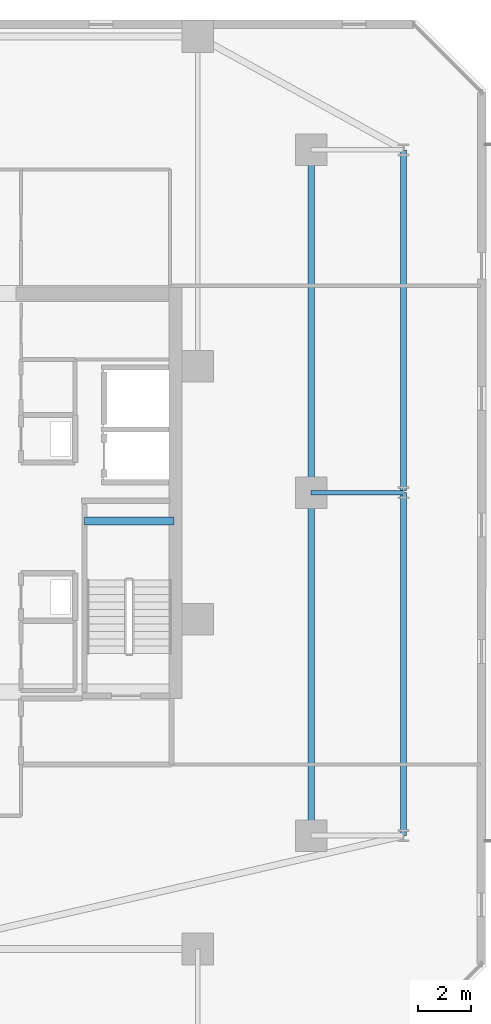
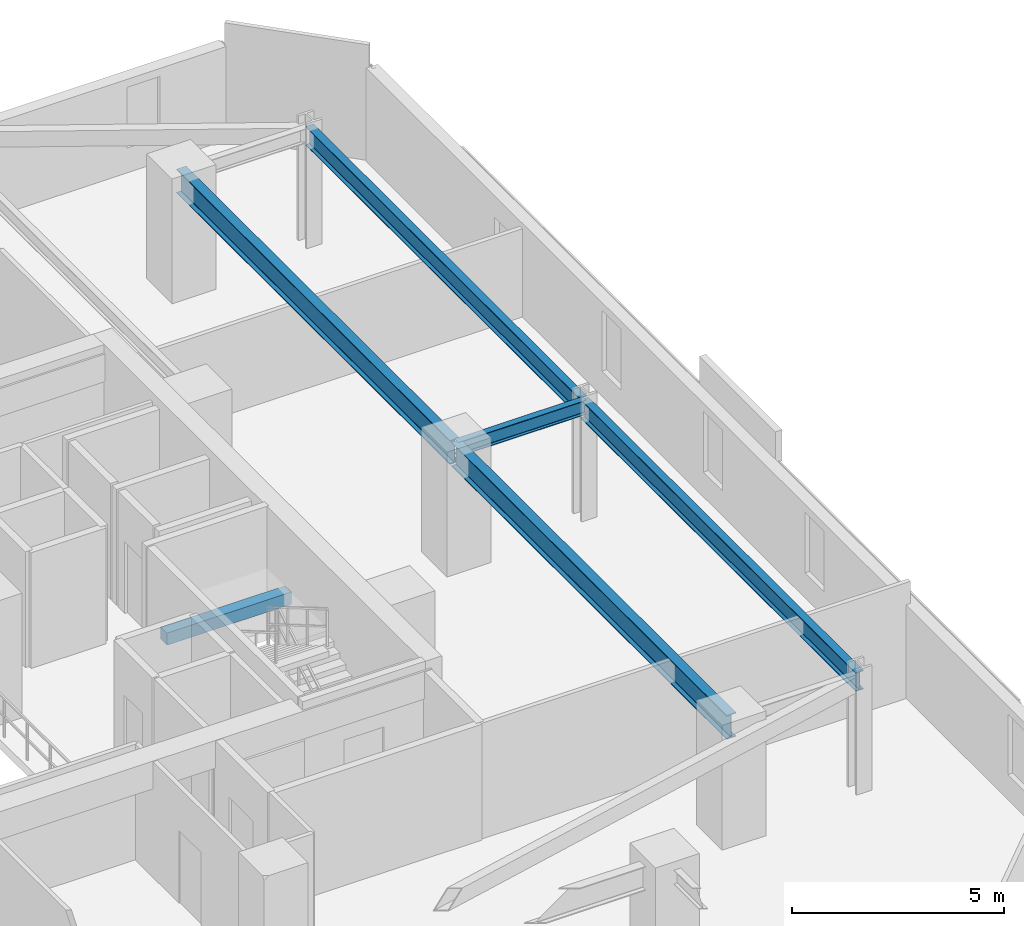
# One storey, part 13 of 32: 6 beams.
"""IFC4 building model written with IfcOpenShell, lengths in metres."""

import ifcopenshell
import ifcopenshell.guid

model = None  # the IFC model being written
_history = None  # IfcOwnerHistory: only IFC2X3 demands one
_inside = {}  # id of a spatial element -> (the spatial element, [elements in it])
_under = {}  # id of a project, library or spatial element -> (it, [spatial elements below it])
_declared = {}  # id of a project -> (the project, [libraries it declares])
_typed = {}  # id of a type object -> (the type object, [elements of that type])
_made_of = {}  # id of a material, layer set ... -> (it, [elements and type objects made of it])


def new_model(schema):
    """Start an empty IFC model of exactly this schema.

    Asked for "IFC4X3", IfcOpenShell would pick the latest addendum, in which some entities
    have other attributes; the version numbers below select the first issue.
    IFC2X3 requires an IfcOwnerHistory on every rooted entity: one is made here for all.
    """
    global model, _history
    if schema == "IFC4X3":
        model = ifcopenshell.file(schema_version=(4, 3, 0, 0))
    else:
        model = ifcopenshell.file(schema=schema)
    _inside.clear()
    _under.clear()
    _declared.clear()
    _typed.clear()
    _made_of.clear()
    _history = None
    if model.schema == "IFC2X3":
        org = make("IfcOrganization", Name="unknown")
        user = make(
            "IfcPersonAndOrganization",
            ThePerson=make("IfcPerson", FamilyName="unknown"),
            TheOrganization=org,
        )
        app = make(
            "IfcApplication",
            ApplicationDeveloper=org,
            Version="unknown",
            ApplicationFullName="unknown",
            ApplicationIdentifier="unknown",
        )
        _history = make(
            "IfcOwnerHistory",
            OwningUser=user,
            OwningApplication=app,
            ChangeAction="ADDED",
            CreationDate=0,
        )
    return model


def make(cls, **values):
    """One entity of the class cls with the attributes given. An attribute that is None is left unset."""
    return model.create_entity(
        cls, **{name: value for name, value in values.items() if value is not None}
    )


def rooted(cls, **values):
    """An entity with a GlobalId (a new one), such as an element, a storey or a relation."""
    return make(cls, GlobalId=ifcopenshell.guid.new(), OwnerHistory=_history, **values)


def si_unit(unit_type, name, prefix=None):
    """IfcSIUnit, for example si_unit("LENGTHUNIT", "METRE", prefix="MILLI")."""
    return make("IfcSIUnit", UnitType=unit_type, Prefix=prefix, Name=name)


def assignment(units):
    """IfcUnitAssignment: the units of a project."""
    return None if units is None else make("IfcUnitAssignment", Units=units)


def point(xyz):
    """IfcCartesianPoint."""
    return None if xyz is None else make("IfcCartesianPoint", Coordinates=xyz)


def direction(xyz):
    """IfcDirection."""
    return None if xyz is None else make("IfcDirection", DirectionRatios=xyz)


def frame(location, z_axis=None, x_axis=None):
    """IfcAxis2Placement3D, a coordinate frame: its origin and axes. An axis left out is left unset."""
    return make(
        "IfcAxis2Placement3D",
        Location=point(location),
        Axis=direction(z_axis),
        RefDirection=direction(x_axis),
    )


def frame_2d(location, x_axis=None):
    """IfcAxis2Placement2D, a coordinate frame in the plane: its origin and x axis."""
    return make(
        "IfcAxis2Placement2D", Location=point(location), RefDirection=direction(x_axis)
    )


def origin():
    """The frame at (0, 0, 0) with its axes left unset."""
    return frame((0.0, 0.0, 0.0))


def origin_2d():
    """The frame at (0, 0) in the plane with its x axis left unset."""
    return frame_2d((0.0, 0.0))


def place(relative_to, where):
    """IfcLocalPlacement: puts the frame where relative to a parent placement (None: the world)."""
    return make(
        "IfcLocalPlacement", PlacementRelTo=relative_to, RelativePlacement=where
    )


def context(
    kind, dimensions, precision=None, world=None, true_north=None, identifier=None
):
    """IfcGeometricRepresentationContext, for example the 3D "Model" context."""
    return make(
        "IfcGeometricRepresentationContext",
        ContextIdentifier=identifier,
        ContextType=kind,
        CoordinateSpaceDimension=dimensions,
        Precision=precision,
        WorldCoordinateSystem=world,
        TrueNorth=true_north,
    )


def subcontext(parent, identifier, kind, view, scale=None):
    """IfcGeometricRepresentationSubContext, for example "Body" below "Model"."""
    return make(
        "IfcGeometricRepresentationSubContext",
        ContextIdentifier=identifier,
        ContextType=kind,
        ParentContext=parent,
        TargetScale=scale,
        TargetView=view,
    )


def project(units=None, contexts=None):
    """IfcProject with its units and contexts."""
    return rooted(
        "IfcProject",
        Name="project",
        RepresentationContexts=contexts,
        UnitsInContext=assignment(units),
    )


def spatial(cls, under=None, at=None, **own):
    """A site, building, storey or space (cls), placed at a placement, below another one or the project."""
    s = rooted(cls, ObjectPlacement=at, **own)
    if under is not None:
        _under.setdefault(under.id(), (under, []))[1].append(s)
    return s


def profile(cls, at=None, kind="AREA", **sizes):
    """A parametric profile (cls). Its sizes go by their IFC names, for example OverallWidth=200.0."""
    return make(cls, ProfileType=kind, Position=at, **sizes)


def rectangle(**sizes):
    """IfcRectangleProfileDef."""
    return profile("IfcRectangleProfileDef", **sizes)


def i_section(**sizes):
    """IfcIShapeProfileDef."""
    return profile("IfcIShapeProfileDef", **sizes)


def extrude(swept, where, along, depth):
    """IfcExtrudedAreaSolid: the profile swept, set in the frame where, extruded along a direction by depth."""
    return make(
        "IfcExtrudedAreaSolid",
        SweptArea=swept,
        Position=where,
        ExtrudedDirection=direction(along),
        Depth=depth,
    )


def shape(context_of_items, identifier, shape_type, items):
    """IfcShapeRepresentation: the items that make up one representation, for example the "Body"."""
    return make(
        "IfcShapeRepresentation",
        ContextOfItems=context_of_items,
        RepresentationIdentifier=identifier,
        RepresentationType=shape_type,
        Items=items,
    )


def material(Name=None, Category=None):
    """IfcMaterial."""
    return make("IfcMaterial", Name=Name, Category=Category)


def material_profile(
    of_material, cross_section, Name=None, Category=None, Priority=None
):
    """IfcMaterialProfile: a cross section and its material."""
    return make(
        "IfcMaterialProfile",
        Name=Name,
        Material=of_material,
        Profile=cross_section,
        Priority=Priority,
        Category=Category,
    )


def profile_set(profiles, Name=None, composite=None):
    """IfcMaterialProfileSet."""
    return make(
        "IfcMaterialProfileSet",
        Name=Name,
        MaterialProfiles=profiles,
        CompositeProfile=composite,
    )


def made_of(thing, what):
    """Note that an element or type object is made of a material, layer set ...; save() writes the relation."""
    if what is not None:
        _made_of.setdefault(what.id(), (what, []))[1].append(thing)
    return thing


def type_object(cls, material=None, **own):
    """A type object (cls), such as IfcWallType, which elements share."""
    return made_of(rooted(cls, **own), material)


def element(
    cls,
    number,
    at=None,
    inside=None,
    cuts=None,
    type_object=None,
    material=None,
    context=None,
    identifier="Body",
    shape_type=None,
    held_by="IfcProductDefinitionShape",
    body=None,
    shapes=None,
    **own,
):
    """One element of the class cls, such as IfcWall. Its Tag is "e" and its number.

    at: its placement. inside: the storey or other place that contains it. cuts: it is an
    opening in that element (IfcRelVoidsElement). A single representation is given by context,
    identifier, shape_type and body (its items); several are given by shapes. held_by: the class
    of the entity that holds the representations. save() writes the other relations.
    """
    e = rooted(cls, Tag="e%d" % number, ObjectPlacement=at, **own)
    if body is not None:
        shapes = [shape(context, identifier, shape_type, body)]
    if shapes is not None:
        e.Representation = make(held_by, Representations=shapes)
    if inside is not None:
        _inside.setdefault(inside.id(), (inside, []))[1].append(e)
    if cuts is not None:
        rooted(
            "IfcRelVoidsElement", RelatingBuildingElement=cuts, RelatedOpeningElement=e
        )
    if type_object is not None:
        _typed.setdefault(type_object.id(), (type_object, []))[1].append(e)
    return made_of(e, material)


def aggregate(whole, parts):
    """IfcRelAggregates: a whole, such as a stair, and the parts it consists of."""
    return rooted("IfcRelAggregates", RelatingObject=whole, RelatedObjects=parts)


def save(model, path):
    """Write the relations noted so far, then the file.

    IfcRelAggregates (storeys below a building ...), IfcRelContainedInSpatialStructure (elements
    in a storey), IfcRelDefinesByType, IfcRelAssociatesMaterial and IfcRelDeclares: one each for
    every whole, place, type object, material and project.
    """
    for whole, parts in _under.values():
        aggregate(whole, parts)
    for where, things in _inside.values():
        rooted(
            "IfcRelContainedInSpatialStructure",
            RelatedElements=things,
            RelatingStructure=where,
        )
    for kind, things in _typed.values():
        rooted("IfcRelDefinesByType", RelatedObjects=things, RelatingType=kind)
    for what, things in _made_of.values():
        rooted("IfcRelAssociatesMaterial", RelatedObjects=things, RelatingMaterial=what)
    for by, libraries in _declared.values():
        rooted("IfcRelDeclares", RelatingContext=by, RelatedDefinitions=libraries)
    model.write(path)


model = new_model("IFC4")

# Units and contexts
model_context = context("Model", 3, precision=1e-05, world=origin(), true_north=direction((0.0, 1.0)))
body_context = subcontext(model_context, "Body", "Model", "MODEL_VIEW")
ifc_project = project(units=[si_unit("LENGTHUNIT", "METRE"), si_unit("AREAUNIT", "SQUARE_METRE"), si_unit("VOLUMEUNIT", "CUBIC_METRE"), si_unit("PLANEANGLEUNIT", "RADIAN"), si_unit("MASSUNIT", "GRAM", prefix="KILO")], contexts=[model_context])

# Site, building, storey
site_placement = place(None, origin())
site = spatial("IfcSite", under=ifc_project, at=site_placement, CompositionType="ELEMENT")
building_placement = place(site_placement, origin())
building = spatial("IfcBuilding", under=site, at=building_placement, Name="Thornwick Lancets Civic Towers", CompositionType="ELEMENT")
storey_placement = place(building_placement, frame((0.0, 0.0, 123.300048828125)))
storey = spatial("IfcBuildingStorey", under=building, at=storey_placement, Name="L32", CompositionType="ELEMENT", Elevation=123.300048828125)

# Beams
ifc_material_1 = material(Name="Steel S355JR", Category="steel")
ifc_material_profile_1 = material_profile(ifc_material_1, i_section(OverallWidth=0.2119140625, OverallDepth=0.54443359375, WebThickness=0.0126953125, FlangeThickness=0.021240234375, FilletRadius=0.0126953125, at=origin_2d()), Name="UKB 533x210x122")
ifc_profile_set_1 = profile_set([ifc_material_profile_1], Name="Steel S355JR")
beam_type_1 = type_object("IfcBeamType", Name="BM_EDGE_533_122", PredefinedType="SPANDREL", material=ifc_profile_set_1)
beam_1_placement = place(storey_placement, frame((109.300048828125, 14.0, 3.087646484375), z_axis=(0.0, 1.0, 0.0), x_axis=(-1.0, 0.0, 0.0)))
element("IfcBeam", 1, at=beam_1_placement, inside=storey, type_object=beam_type_1, Name="BM-EDGE-L32-B-S0-1", PredefinedType="SPANDREL", context=body_context, shape_type="SweptSolid", body=[
    extrude(i_section(OverallWidth=0.2119140625, OverallDepth=0.54443359375, WebThickness=0.0126953125, FlangeThickness=0.021240234375, FilletRadius=0.0126953125, at=origin_2d()), origin(), (0.0, 0.0, 1.0), 13.0),
])
beam_2_placement = place(storey_placement, frame((109.300048828125, 27.080078125, 3.087646484375), z_axis=(0.0, 1.0, 0.0), x_axis=(-1.0, 0.0, 0.0)))
element("IfcBeam", 2, at=beam_2_placement, inside=storey, type_object=beam_type_1, Name="BM-EDGE-L32-B-S0-2", PredefinedType="SPANDREL", context=body_context, shape_type="SweptSolid", body=[
    extrude(i_section(OverallWidth=0.2119140625, OverallDepth=0.54443359375, WebThickness=0.0126953125, FlangeThickness=0.021240234375, FilletRadius=0.0126953125, at=origin_2d()), origin(), (0.0, 0.0, 1.0), 12.919921875),
])
ifc_material_profile_2 = material_profile(ifc_material_1, i_section(OverallWidth=0.255859375, OverallDepth=0.69287109375, WebThickness=0.014404296875, FlangeThickness=0.023681640625, FilletRadius=0.01513671875, at=origin_2d()), Name="UKB 686x254x170")
ifc_profile_set_2 = profile_set([ifc_material_profile_2], Name="Steel S355JR")
beam_type_2 = type_object("IfcBeamType", Name="BM_GIRD_686_170", PredefinedType="BEAM", material=ifc_profile_set_2)
beam_3_placement = place(storey_placement, frame((105.800048828125, 14.0, 3.013427734375), z_axis=(0.0, 1.0, 0.0), x_axis=(-1.0, 0.0, 0.0)))
element("IfcBeam", 3, at=beam_3_placement, inside=storey, type_object=beam_type_2, Name="BM-SPINE-L32-B-0-1", PredefinedType="BEAM", context=body_context, shape_type="SweptSolid", body=[
    extrude(i_section(OverallWidth=0.255859375, OverallDepth=0.69287109375, WebThickness=0.014404296875, FlangeThickness=0.023681640625, FilletRadius=0.01513671875, at=origin_2d()), origin(), (0.0, 0.0, 1.0), 13.0),
])
beam_4_placement = place(storey_placement, frame((105.800048828125, 27.080078125, 3.013427734375), z_axis=(0.0, 1.0, 0.0), x_axis=(-1.0, 0.0, 0.0)))
element("IfcBeam", 4, at=beam_4_placement, inside=storey, type_object=beam_type_2, Name="BM-SPINE-L32-B-1-2", PredefinedType="BEAM", context=body_context, shape_type="SweptSolid", body=[
    extrude(i_section(OverallWidth=0.255859375, OverallDepth=0.69287109375, WebThickness=0.014404296875, FlangeThickness=0.023681640625, FilletRadius=0.01513671875, at=origin_2d()), origin(), (0.0, 0.0, 1.0), 12.919921875),
])
ifc_material_profile_3 = material_profile(ifc_material_1, i_section(OverallWidth=0.179443359375, OverallDepth=0.412841796875, WebThickness=0.009521484375, FlangeThickness=0.01611328125, FilletRadius=0.01025390625, at=origin_2d()), Name="UKB 406x178x74")
ifc_profile_set_3 = profile_set([ifc_material_profile_3], Name="Steel S355JR")
beam_type_3 = type_object("IfcBeamType", Name="BM_JOIST_406_74", PredefinedType="JOIST", material=ifc_profile_set_3)
beam_5_placement = place(storey_placement, frame((105.800048828125, 27.0, 3.153564453125), z_axis=(1.0, 0.0, 0.0), x_axis=(0.0, 1.0, 0.0)))
element("IfcBeam", 5, at=beam_5_placement, inside=storey, type_object=beam_type_3, Name="BM-RAD-L32-B02", PredefinedType="JOIST", context=body_context, shape_type="SweptSolid", body=[
    extrude(i_section(OverallWidth=0.179443359375, OverallDepth=0.412841796875, WebThickness=0.009521484375, FlangeThickness=0.01611328125, FilletRadius=0.01025390625, at=origin_2d()), origin(), (0.0, 0.0, 1.0), 3.5),
])
ifc_material_2 = material(Name="Concrete C40/50", Category="concrete")
ifc_material_profile_4 = material_profile(ifc_material_2, rectangle(XDim=0.300048828125, YDim=0.35009765625, at=origin_2d()), Name="RC 300x350")
ifc_profile_set_4 = profile_set([ifc_material_profile_4], Name="Concrete C40/50")
beam_type_4 = type_object("IfcBeamType", Name="BM_STAIR_LDG", PredefinedType="BEAM", material=ifc_profile_set_4)
beam_6_placement = place(storey_placement, frame((100.60009765625, 25.93505859375, 1.3779296875), z_axis=(-1.0, 0.0, 0.0), x_axis=(0.0, -1.0, 0.0)))
element("IfcBeam", 6, at=beam_6_placement, inside=storey, type_object=beam_type_4, Name="L32 ST-B1 Landing Support Beam 1", PredefinedType="BEAM", context=body_context, shape_type="SweptSolid", body=[
    extrude(rectangle(XDim=0.300048828125, YDim=0.35009765625, at=origin_2d()), origin(), (0.0, 0.0, 1.0), 3.400146484375),
])

save(model, "model.ifc")
